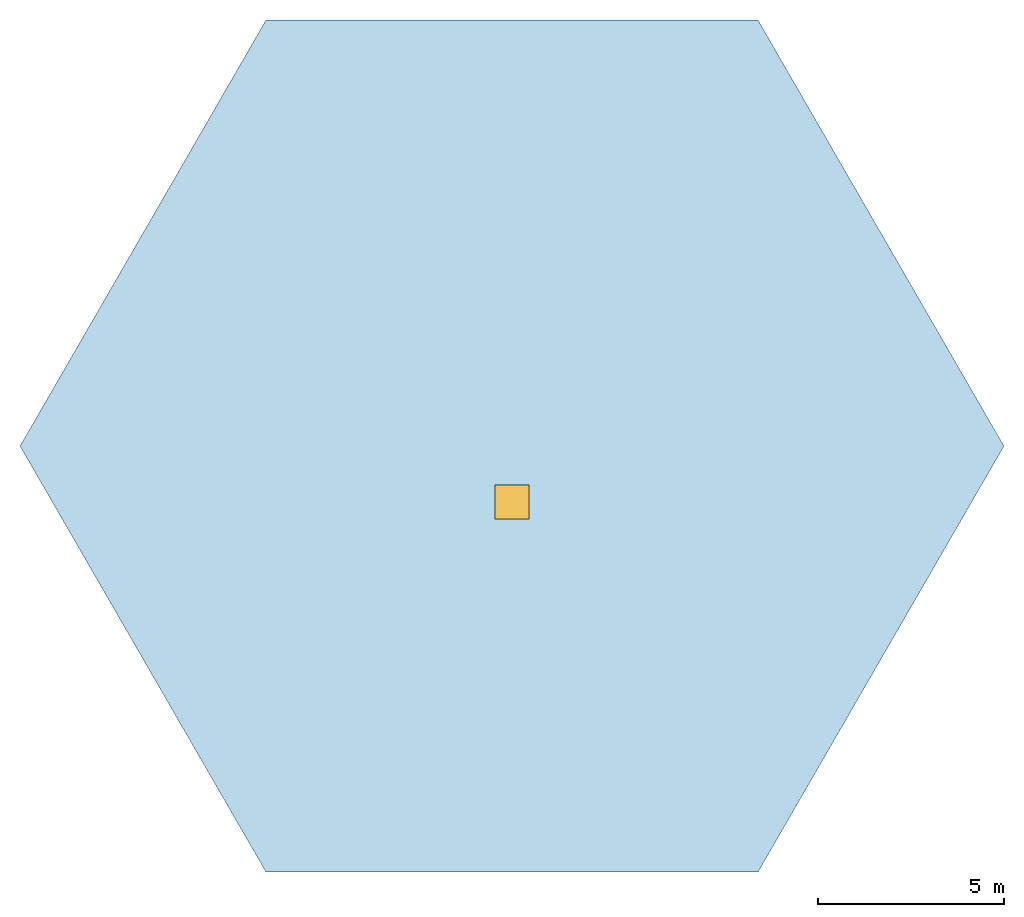
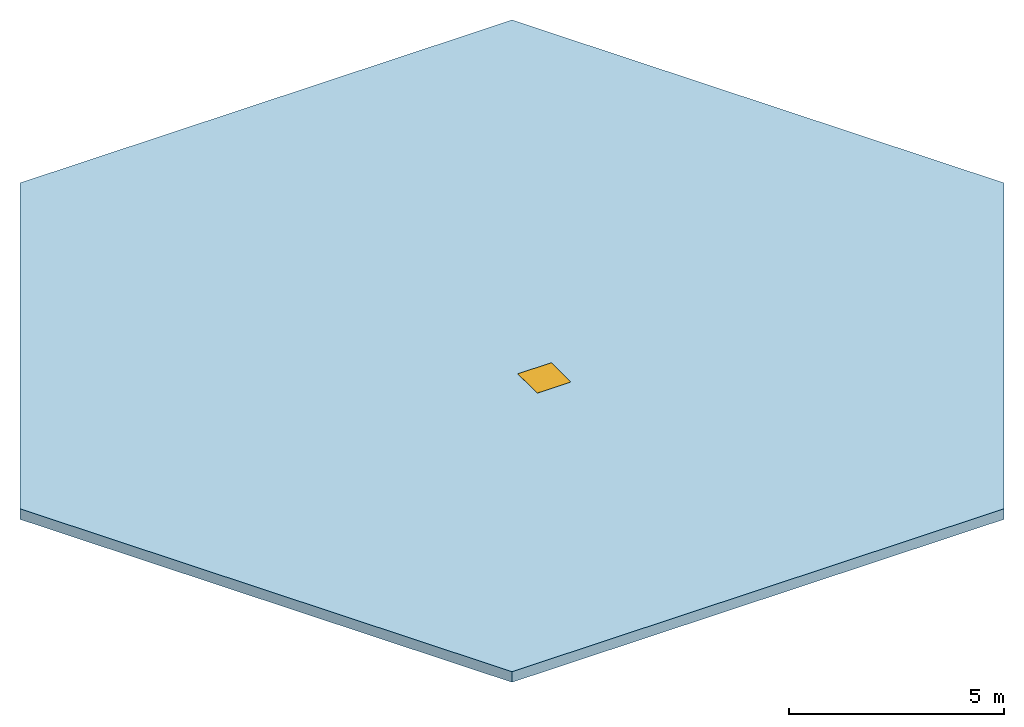
# One storey: 1 slab, 1 window, 1 opening.
"""IFC4 building model written with IfcOpenShell, lengths in metres."""

from ifc_helpers import new_model, si_unit, direction, frame, origin, origin_2d, place, context, subcontext, project, spatial, polyline, rectangle, outline, extrude, material, layer, layer_set, type_object, element, fill, save


model = new_model("IFC4")

# Units and contexts
model_context = context("Model", 3, precision=1e-05, world=origin(), true_north=direction((0.0, 1.0)))
body_context = subcontext(model_context, "Body", "Model", "MODEL_VIEW")
ifc_project = project(units=[si_unit("LENGTHUNIT", "METRE"), si_unit("AREAUNIT", "SQUARE_METRE"), si_unit("VOLUMEUNIT", "CUBIC_METRE"), si_unit("PLANEANGLEUNIT", "RADIAN"), si_unit("MASSUNIT", "GRAM", prefix="KILO")], contexts=[model_context])

# Site, building, storey
site_placement = place(None, origin())
site = spatial("IfcSite", under=ifc_project, at=site_placement, CompositionType="ELEMENT")
building_placement = place(site_placement, origin())
building = spatial("IfcBuilding", under=site, at=building_placement, Name="Impinga Residences", CompositionType="ELEMENT")
storey_placement = place(building_placement, frame((0.0, 0.0, 307.449951171875)))
storey = spatial("IfcBuildingStorey", under=building, at=storey_placement, Name="ROOF", CompositionType="ELEMENT", Elevation=307.449951171875)

# Slab, opening, window
ifc_material_1 = material(Name="Concrete C60/75", Category="concrete")
ifc_layer = layer(ifc_material_1, 0.300048828125)
ifc_layer_set = layer_set([ifc_layer], Name="Concrete C60/75")
slab_type = type_object("IfcSlabType", Name="RS1 core roof slab 300", PredefinedType="ROOF", material=ifc_layer_set)
slab_placement = place(storey_placement, origin())
slab = element("IfcSlab", 1, at=slab_placement, inside=storey, type_object=slab_type, Name="Roof slab RS1 L75", PredefinedType="ROOF", context=body_context, shape_type="SweptSolid", body=[
    extrude(outline(polyline([(13.199951171875, 0.0), (6.60009765625, 11.431640625), (-6.60009765625, 11.431640625), (-13.199951171875, 0.0), (-6.60009765625, -11.431640625), (6.60009765625, -11.431640625), (13.199951171875, 0.0)])), origin(), (0.0, 0.0, 1.0), 0.300048828125),
])
opening_placement = place(slab_placement, frame((0.0, -1.5, 0.0)))
opening = element("IfcOpeningElement", 2, at=opening_placement, cuts=slab, Name="Opening HT1", PredefinedType="OPENING", context=body_context, shape_type="SweptSolid", body=[
    extrude(rectangle(XDim=0.89990234375, YDim=0.89990234375, at=origin_2d()), origin(), (0.0, 0.0, 1.0), 0.300048828125),
])
ifc_material_2 = material(Name="Aluminium roof access hatch", Category="aluminium")
window_type = type_object("IfcWindowType", Name="HT1 roof access hatch 900x900", PartitioningType="SINGLE_PANEL", PredefinedType="SKYLIGHT", material=ifc_material_2)
window_placement = place(opening_placement, frame((0.0, 0.0, 0.25)))
window = element("IfcWindow", 3, at=window_placement, inside=storey, type_object=window_type, Name="Roof access hatch", OverallHeight=0.89990234375, OverallWidth=0.89990234375, PartitioningType="SINGLE_PANEL", PredefinedType="SKYLIGHT", context=body_context, shape_type="SweptSolid", body=[
    extrude(rectangle(XDim=0.89990234375, YDim=0.89990234375, at=origin_2d()), origin(), (0.0, 0.0, 1.0), 0.050048828125),
])
fill(opening, window)

save(model, "model.ifc")
